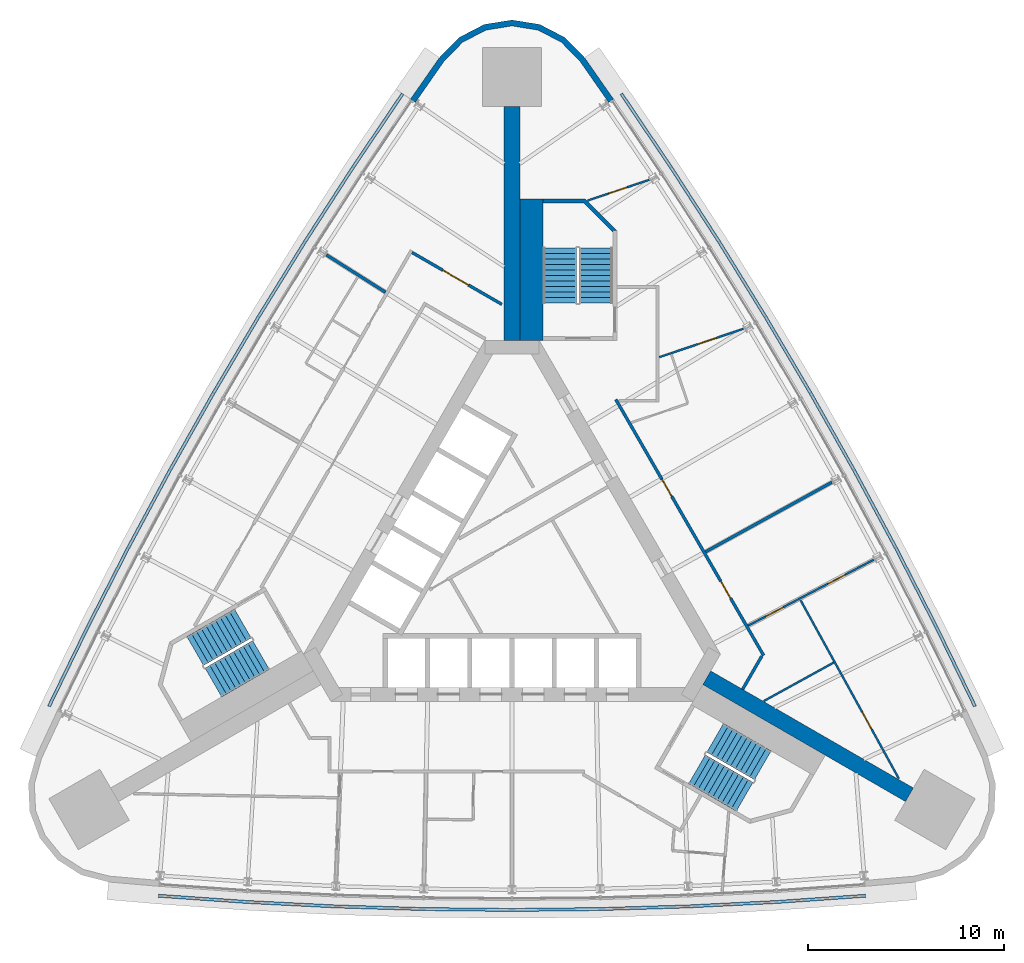
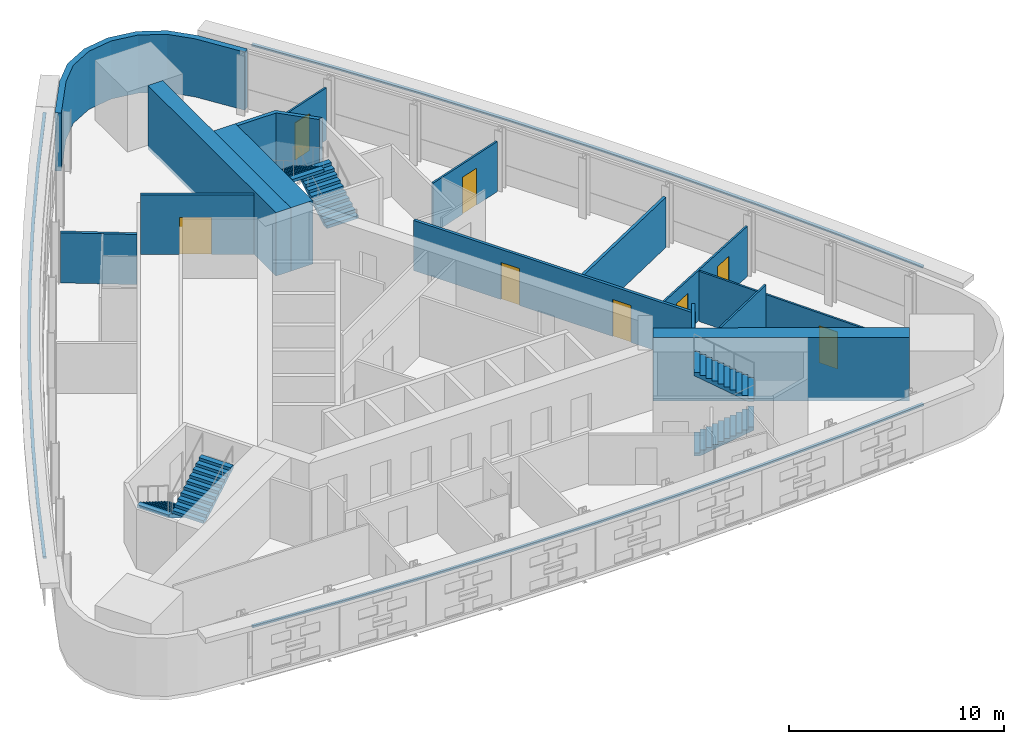
# One storey, part 9 of 11: 15 walls, 8 doors, 6 stair flights, 3 discrete accessories, 8 openings, 3 elements without a shape of their own.
"""IFC4 building model written with IfcOpenShell, lengths in metres."""

from ifc_helpers import new_model, si_unit, direction, frame, frame_2d, origin, place, context, subcontext, project, spatial, polyline, rectangle, outline, extrude, material, layer, layer_set, type_object, element, fill, aggregate, save


model = new_model("IFC4")

# Units and contexts
model_context = context("Model", 3, precision=1e-05, world=origin(), true_north=direction((0.0, 1.0)))
body_context = subcontext(model_context, "Body", "Model", "MODEL_VIEW")
ifc_project = project(units=[si_unit("LENGTHUNIT", "METRE"), si_unit("AREAUNIT", "SQUARE_METRE"), si_unit("VOLUMEUNIT", "CUBIC_METRE"), si_unit("PLANEANGLEUNIT", "RADIAN"), si_unit("MASSUNIT", "GRAM", prefix="KILO")], contexts=[model_context])

# Site, building, storey
site_placement = place(None, origin())
site = spatial("IfcSite", under=ifc_project, at=site_placement, CompositionType="ELEMENT")
building_placement = place(site_placement, origin())
building = spatial("IfcBuilding", under=site, at=building_placement, Name="Noor Cloister Tower", CompositionType="ELEMENT")
storey_placement = place(building_placement, frame((0.0, 0.0, 109.5)))
storey = spatial("IfcBuildingStorey", under=building, at=storey_placement, Name="L28", CompositionType="ELEMENT", Elevation=109.5)

# Walls
ifc_material_1 = material(Name="Concrete C80/95", Category="concrete")
ifc_layer_1 = layer(ifc_material_1, 0.800048828125)
ifc_layer_set_1 = layer_set([ifc_layer_1], Name="Buttress wall 800 C80/95")
wall_type_1 = type_object("IfcWallType", Name="Buttress wall 800 C80/95", PredefinedType="SHEAR", material=ifc_layer_set_1)
wall_1_placement = place(storey_placement, frame((0.0, 11.456298828125, -0.199951171875), z_axis=(0.0, 0.0, 1.0), x_axis=(0.0, 1.0, 0.0)))
element("IfcWall", 1, at=wall_1_placement, inside=storey, type_object=wall_type_1, Name="Buttress wall N L28", PredefinedType="SHEAR", context=body_context, shape_type="SweptSolid", body=[
    extrude(rectangle(XDim=11.918701171875, YDim=0.800048828125, at=frame_2d((5.95947265625, 0.0))), origin(), (0.0, 0.0, 1.0), 3.599853515625),
])
wall_2_placement = place(storey_placement, frame((9.921630859375, -5.728271484375, -0.199951171875), z_axis=(0.0, 0.0, 1.0), x_axis=(0.866027307971, -0.499996701837, 0.0)))
element("IfcWall", 2, at=wall_2_placement, inside=storey, type_object=wall_type_1, Name="Buttress wall SE L28", PredefinedType="SHEAR", context=body_context, shape_type="SweptSolid", body=[
    extrude(rectangle(XDim=11.91845703125, YDim=0.800048828125, at=frame_2d((5.959228515625, 0.0))), origin(), (0.0, 0.0, 1.0), 3.599853515625),
])

# Wall, openings, doors
ifc_material_2 = material(Name="Gypsum board partition on steel studs, 150 mm", Category="steel")
ifc_layer_2 = layer(ifc_material_2, 0.14990234375)
ifc_layer_set_2 = layer_set([ifc_layer_2], Name="Flat wall 150")
wall_type_2 = type_object("IfcWallType", Name="Flat wall 150", PredefinedType="PARTITIONING", material=ifc_layer_set_2)
wall_3_placement = place(storey_placement, frame((5.28857421875, 8.4462890625, 0.0), z_axis=(0.0, 0.0, 1.0), x_axis=(0.499996620721, -0.866027354803, 0.0)))
wall_3 = element("IfcWall", 3, at=wall_3_placement, inside=storey, type_object=wall_type_2, Name="Flat wall 150 L28 003", PredefinedType="PARTITIONING", context=body_context, shape_type="SweptSolid", body=[
    extrude(rectangle(XDim=15.056640625, YDim=0.14990234375, at=frame_2d((7.5283203125, 0.0))), origin(), (0.0, 0.0, 1.0), 2.846923828125),
])
opening_1_placement = place(wall_3_placement, frame((10.688720703125, 0.0, 0.0)))
opening_1 = element("IfcOpeningElement", 4, at=opening_1_placement, cuts=wall_3, Name="Opening L28-006", PredefinedType="OPENING", context=body_context, shape_type="SweptSolid", body=[
    extrude(rectangle(XDim=1.0, YDim=2.10009765625, at=frame_2d((0.5, 1.050048828125))), frame((0.0, 0.0849609375, 0.0), z_axis=(0.0, -1.0, 0.0), x_axis=(1.0, 0.0, 0.0)), (0.0, 0.0, 1.0), 0.169921875),
])
opening_2_placement = place(wall_3_placement, frame((4.6953125, 0.0, 0.0)))
opening_2 = element("IfcOpeningElement", 5, at=opening_2_placement, cuts=wall_3, Name="Opening L28-007", PredefinedType="OPENING", context=body_context, shape_type="SweptSolid", body=[
    extrude(rectangle(XDim=1.0, YDim=2.10009765625, at=frame_2d((0.5, 1.050048828125))), frame((0.0, 0.0849609375, 0.0), z_axis=(0.0, -1.0, 0.0), x_axis=(1.0, 0.0, 0.0)), (0.0, 0.0, 1.0), 0.169921875),
])
ifc_material_3 = material(Name="Timber door leaf with steel frame", Category="steel")
door_type_1 = type_object("IfcDoorType", Name="Flat entrance door 1000 FD60S", OperationType="NOTDEFINED", PredefinedType="DOOR", material=ifc_material_3)
door_1_placement = place(opening_1_placement, origin())
door_1 = element("IfcDoor", 6, at=door_1_placement, inside=storey, type_object=door_type_1, Name="Flat entrance door 1000 L28-006", OperationType="SINGLE_SWING_RIGHT", OverallHeight=2.10009765625, OverallWidth=1.0, PredefinedType="DOOR", context=body_context, shape_type="SweptSolid", body=[
    extrude(rectangle(XDim=1.0, YDim=2.10009765625, at=frame_2d((0.5, 1.050048828125))), frame((0.0, 0.02490234375, 0.0), z_axis=(0.0, -1.0, 0.0), x_axis=(1.0, 0.0, 0.0)), (0.0, 0.0, 1.0), 0.050048828125),
])
fill(opening_1, door_1)
door_2_placement = place(opening_2_placement, origin())
door_2 = element("IfcDoor", 7, at=door_2_placement, inside=storey, type_object=door_type_1, Name="Flat entrance door 1000 L28-007", OperationType="SINGLE_SWING_LEFT", OverallHeight=2.10009765625, OverallWidth=1.0, PredefinedType="DOOR", context=body_context, shape_type="SweptSolid", body=[
    extrude(rectangle(XDim=1.0, YDim=2.10009765625, at=frame_2d((0.5, 1.050048828125))), frame((0.0, 0.02490234375, 0.0), z_axis=(0.0, -1.0, 0.0), x_axis=(1.0, 0.0, 0.0)), (0.0, 0.0, 1.0), 0.050048828125),
])
fill(opening_2, door_2)

# Wall, opening, door
wall_4_placement = place(storey_placement, frame((-5.093017578125, 15.93505859375, 0.0), z_axis=(0.0, 0.0, 1.0), x_axis=(0.866033195618, -0.499986503906, 0.0)))
wall_4 = element("IfcWall", 8, at=wall_4_placement, inside=storey, type_object=wall_type_2, Name="Flat wall 150 L28 007", PredefinedType="PARTITIONING", context=body_context, shape_type="SweptSolid", body=[
    extrude(rectangle(XDim=5.282470703125, YDim=0.14990234375, at=frame_2d((2.64111328125, 0.0))), origin(), (0.0, 0.0, 1.0), 3.39990234375),
])
opening_3_placement = place(wall_4_placement, frame((1.816162109375, 0.0, 0.0)))
opening_3 = element("IfcOpeningElement", 9, at=opening_3_placement, cuts=wall_4, Name="Opening L28-011", PredefinedType="OPENING", context=body_context, shape_type="SweptSolid", body=[
    extrude(rectangle(XDim=1.5, YDim=2.10009765625, at=frame_2d((0.75, 1.050048828125))), frame((0.0, 0.0849609375, 0.0), z_axis=(0.0, -1.0, 0.0), x_axis=(1.0, 0.0, 0.0)), (0.0, 0.0, 1.0), 0.169921875),
])
ifc_material_4 = material(Name="Timber door leaf with steel frame", Category="steel")
door_type_2 = type_object("IfcDoorType", Name="Double door 1500 FD60", OperationType="NOTDEFINED", PredefinedType="DOOR", material=ifc_material_4)
door_3_placement = place(opening_3_placement, origin())
door_3 = element("IfcDoor", 10, at=door_3_placement, inside=storey, type_object=door_type_2, Name="Double door 1500 L28-011", OperationType="DOUBLE_DOOR_SINGLE_SWING", OverallHeight=2.10009765625, OverallWidth=1.5, PredefinedType="DOOR", context=body_context, shape_type="SweptSolid", body=[
    extrude(rectangle(XDim=1.5, YDim=2.10009765625, at=frame_2d((0.75, 1.050048828125))), frame((0.0, 0.02490234375, 0.0), z_axis=(0.0, -1.0, 0.0), x_axis=(1.0, 0.0, 0.0)), (0.0, 0.0, 1.0), 0.050048828125),
])
fill(opening_3, door_3)

# Walls
wall_5_placement = place(storey_placement, frame((11.745361328125, -6.3193359375, 0.0), z_axis=(0.0, 0.0, 1.0), x_axis=(0.500012721296, 0.866018059016, 0.0)))
element("IfcWall", 11, at=wall_5_placement, inside=storey, type_object=wall_type_2, Name="Flat wall 150 L28 012", PredefinedType="PARTITIONING", context=body_context, shape_type="SweptSolid", body=[
    extrude(rectangle(XDim=1.9658203125, YDim=0.14990234375, at=frame_2d((0.98291015625, 0.0))), origin(), (0.0, 0.0, 1.0), 3.39990234375),
])
wall_6_placement = place(storey_placement, frame((16.296875, 4.231689453125, 0.0), z_axis=(0.0, 0.0, 1.0), x_axis=(-0.875895262359, -0.482501284327, 0.0)))
element("IfcWall", 12, at=wall_6_placement, inside=storey, type_object=wall_type_2, Name="Flat wall 150 L28 016", PredefinedType="PARTITIONING", context=body_context, shape_type="SweptSolid", body=[
    extrude(rectangle(XDim=7.35107421875, YDim=0.14990234375, at=frame_2d((3.675537109375, 0.0))), origin(), (0.0, 0.0, 1.0), 2.846923828125),
])
wall_7_placement = place(storey_placement, frame((-9.455322265625, 15.8115234375, 0.0), z_axis=(0.0, 0.0, 1.0), x_axis=(0.845256180865, -0.53436129043, 0.0)))
element("IfcWall", 13, at=wall_7_placement, inside=storey, type_object=wall_type_2, Name="Flat wall 150 L28 020", PredefinedType="PARTITIONING", context=body_context, shape_type="SweptSolid", body=[
    extrude(rectangle(XDim=3.56591796875, YDim=0.14990234375, at=frame_2d((1.782958984375, 0.0))), origin(), (0.0, 0.0, 1.0), 2.846923828125),
])
ifc_material_5 = material(Name="Limestone", Category="masonry")
ifc_layer_3 = layer(ifc_material_5, 0.300048828125)
ifc_layer_set_3 = layer_set([ifc_layer_3], Name="Limestone cladding 300")
wall_type_3 = type_object("IfcWallType", Name="Limestone cladding 300", PredefinedType="NOTDEFINED", material=ifc_layer_set_3)
wall_8_placement = place(storey_placement, origin())
element("IfcWall", 14, at=wall_8_placement, inside=storey, type_object=wall_type_3, Name="Limestone pier cladding L28 3.1", PredefinedType="NOTDEFINED", context=body_context, shape_type="SweptSolid", body=[
    extrude(outline(polyline([(5.1708984375, 23.747802734375), (3.694091796875, 25.862548828125), (2.6904296875, 26.8876953125), (1.41650390625, 27.54736328125), (0.0, 27.774658203125), (-1.41650390625, 27.54736328125), (-2.6904296875, 26.8876953125), (-3.694091796875, 25.862548828125), (-5.1708984375, 23.747802734375), (-4.925048828125, 23.575927734375), (-3.462158203125, 25.67041015625), (-2.509765625, 26.6435546875), (-1.3212890625, 27.2587890625), (0.0, 27.470947265625), (1.3212890625, 27.2587890625), (2.509765625, 26.6435546875), (3.462158203125, 25.67041015625), (4.925048828125, 23.575927734375), (5.1708984375, 23.747802734375)])), origin(), (0.0, 0.0, 1.0), 3.300048828125),
])

# Wall, opening, door
ifc_material_6 = material(Name="Gypsum board partition on steel studs, 100 mm", Category="steel")
ifc_layer_4 = layer(ifc_material_6, 0.10009765625)
ifc_layer_set_4 = layer_set([ifc_layer_4], Name="Partition 100")
wall_type_4 = type_object("IfcWallType", Name="Partition 100", PredefinedType="PARTITIONING", material=ifc_layer_set_4)
wall_9_placement = place(storey_placement, frame((19.702880859375, -10.8642578125, 0.0), z_axis=(0.0, 0.0, 1.0), x_axis=(-0.482505676042, 0.875892843096, 0.0)))
wall_9 = element("IfcWall", 15, at=wall_9_placement, inside=storey, type_object=wall_type_4, Name="Partition 100 L28 021", PredefinedType="PARTITIONING", context=body_context, shape_type="SweptSolid", body=[
    extrude(rectangle(XDim=10.377197265625, YDim=0.10009765625, at=frame_2d((5.1884765625, 0.0))), origin(), (0.0, 0.0, 1.0), 2.846923828125),
])
opening_4_placement = place(wall_9_placement, frame((2.863525390625, 0.0, 0.0)))
opening_4 = element("IfcOpeningElement", 16, at=opening_4_placement, cuts=wall_9, Name="Opening L28-012", PredefinedType="OPENING", context=body_context, shape_type="SweptSolid", body=[
    extrude(rectangle(XDim=1.0, YDim=2.10009765625, at=frame_2d((0.5, 1.050048828125))), frame((0.0, 0.06005859375, 0.0), z_axis=(0.0, -1.0, 0.0), x_axis=(1.0, 0.0, 0.0)), (0.0, 0.0, 1.0), 0.1201171875),
])
ifc_material_7 = material(Name="Timber door leaf with steel frame", Category="steel")
door_type_3 = type_object("IfcDoorType", Name="Interior door 1000", OperationType="NOTDEFINED", PredefinedType="DOOR", material=ifc_material_7)
door_4_placement = place(opening_4_placement, origin())
door_4 = element("IfcDoor", 17, at=door_4_placement, inside=storey, type_object=door_type_3, Name="Interior door 1000 L28-012", OperationType="SINGLE_SWING_LEFT", OverallHeight=2.10009765625, OverallWidth=1.0, PredefinedType="DOOR", context=body_context, shape_type="SweptSolid", body=[
    extrude(rectangle(XDim=1.0, YDim=2.10009765625, at=frame_2d((0.5, 1.050048828125))), frame((0.0, 0.02490234375, 0.0), z_axis=(0.0, -1.0, 0.0), x_axis=(1.0, 0.0, 0.0)), (0.0, 0.0, 1.0), 0.050048828125),
])
fill(opening_4, door_4)

# Wall, openings, doors
wall_10_placement = place(storey_placement, frame((18.4208984375, 0.282958984375, 0.0), z_axis=(0.0, 0.0, 1.0), x_axis=(-0.885392336097, -0.464844502151, 0.0)))
wall_10 = element("IfcWall", 18, at=wall_10_placement, inside=storey, type_object=wall_type_4, Name="Partition 100 L28 023", PredefinedType="PARTITIONING", context=body_context, shape_type="SweptSolid", body=[
    extrude(rectangle(XDim=7.219970703125, YDim=0.10009765625, at=frame_2d((3.60986328125, 0.0))), origin(), (0.0, 0.0, 1.0), 2.846923828125),
])
opening_5_placement = place(wall_10_placement, frame((5.19580078125, 0.0, 0.0)))
opening_5 = element("IfcOpeningElement", 19, at=opening_5_placement, cuts=wall_10, Name="Opening L28-013", PredefinedType="OPENING", context=body_context, shape_type="SweptSolid", body=[
    extrude(rectangle(XDim=1.0, YDim=2.10009765625, at=frame_2d((0.5, 1.050048828125))), frame((0.0, 0.06005859375, 0.0), z_axis=(0.0, -1.0, 0.0), x_axis=(1.0, 0.0, 0.0)), (0.0, 0.0, 1.0), 0.1201171875),
])
opening_6_placement = place(wall_10_placement, frame((1.634033203125, 0.0, 0.0)))
opening_6 = element("IfcOpeningElement", 20, at=opening_6_placement, cuts=wall_10, Name="Opening L28-014", PredefinedType="OPENING", context=body_context, shape_type="SweptSolid", body=[
    extrude(rectangle(XDim=1.0, YDim=2.10009765625, at=frame_2d((0.5, 1.050048828125))), frame((0.0, 0.06005859375, 0.0), z_axis=(0.0, -1.0, 0.0), x_axis=(1.0, 0.0, 0.0)), (0.0, 0.0, 1.0), 0.1201171875),
])
door_5_placement = place(opening_5_placement, origin())
door_5 = element("IfcDoor", 21, at=door_5_placement, inside=storey, type_object=door_type_3, Name="Interior door 1000 L28-013", OperationType="SINGLE_SWING_RIGHT", OverallHeight=2.10009765625, OverallWidth=1.0, PredefinedType="DOOR", context=body_context, shape_type="SweptSolid", body=[
    extrude(rectangle(XDim=1.0, YDim=2.10009765625, at=frame_2d((0.5, 1.050048828125))), frame((0.0, 0.02490234375, 0.0), z_axis=(0.0, -1.0, 0.0), x_axis=(1.0, 0.0, 0.0)), (0.0, 0.0, 1.0), 0.050048828125),
])
fill(opening_5, door_5)
door_6_placement = place(opening_6_placement, origin())
door_6 = element("IfcDoor", 22, at=door_6_placement, inside=storey, type_object=door_type_3, Name="Interior door 1000 L28-014", OperationType="SINGLE_SWING_LEFT", OverallHeight=2.10009765625, OverallWidth=1.0, PredefinedType="DOOR", context=body_context, shape_type="SweptSolid", body=[
    extrude(rectangle(XDim=1.0, YDim=2.10009765625, at=frame_2d((0.5, 1.050048828125))), frame((0.0, 0.02490234375, 0.0), z_axis=(0.0, -1.0, 0.0), x_axis=(1.0, 0.0, 0.0)), (0.0, 0.0, 1.0), 0.050048828125),
])
fill(opening_6, door_6)

# Wall, opening, door
wall_11_placement = place(storey_placement, frame((7.501708984375, 10.600830078125, 0.0), z_axis=(0.0, 0.0, 1.0), x_axis=(0.947570000993, 0.319548264303, 0.0)))
wall_11 = element("IfcWall", 23, at=wall_11_placement, inside=storey, type_object=wall_type_4, Name="Partition 100 L28 026", PredefinedType="PARTITIONING", context=body_context, shape_type="SweptSolid", body=[
    extrude(rectangle(XDim=4.519287109375, YDim=0.10009765625, at=frame_2d((2.259765625, 0.0))), origin(), (0.0, 0.0, 1.0), 2.846923828125),
])
opening_7_placement = place(wall_11_placement, frame((2.067626953125, 0.0, 0.0)))
opening_7 = element("IfcOpeningElement", 24, at=opening_7_placement, cuts=wall_11, Name="Opening L28-017", PredefinedType="OPENING", context=body_context, shape_type="SweptSolid", body=[
    extrude(rectangle(XDim=1.0, YDim=2.10009765625, at=frame_2d((0.5, 1.050048828125))), frame((0.0, 0.06005859375, 0.0), z_axis=(0.0, -1.0, 0.0), x_axis=(1.0, 0.0, 0.0)), (0.0, 0.0, 1.0), 0.1201171875),
])
door_7_placement = place(opening_7_placement, origin())
door_7 = element("IfcDoor", 25, at=door_7_placement, inside=storey, type_object=door_type_3, Name="Interior door 1000 L28-017", OperationType="SINGLE_SWING_RIGHT", OverallHeight=2.10009765625, OverallWidth=1.0, PredefinedType="DOOR", context=body_context, shape_type="SweptSolid", body=[
    extrude(rectangle(XDim=1.0, YDim=2.10009765625, at=frame_2d((0.5, 1.050048828125))), frame((0.0, 0.02490234375, 0.0), z_axis=(0.0, -1.0, 0.0), x_axis=(1.0, 0.0, 0.0)), (0.0, 0.0, 1.0), 0.050048828125),
])
fill(opening_7, door_7)

# Wall
wall_12_placement = place(storey_placement, frame((16.388916015625, -4.952392578125, 0.0), z_axis=(0.0, 0.0, 1.0), x_axis=(-0.875896259157, -0.482499474814, 0.0)))
element("IfcWall", 26, at=wall_12_placement, inside=storey, type_object=wall_type_4, Name="Partition 100 L28 027", PredefinedType="PARTITIONING", context=body_context, shape_type="SweptSolid", body=[
    extrude(rectangle(XDim=4.066162109375, YDim=0.10009765625, at=frame_2d((2.033203125, 0.0))), origin(), (0.0, 0.0, 1.0), 3.39990234375),
])

# Wall, opening, door
wall_13_placement = place(storey_placement, frame((3.8486328125, 18.574951171875, 0.0), z_axis=(0.0, 0.0, 1.0), x_axis=(0.947578304543, 0.319523640375, 0.0)))
wall_13 = element("IfcWall", 27, at=wall_13_placement, inside=storey, type_object=wall_type_4, Name="Partition 100 L28 029", PredefinedType="PARTITIONING", context=body_context, shape_type="SweptSolid", body=[
    extrude(rectangle(XDim=3.309326171875, YDim=0.10009765625, at=frame_2d((1.65478515625, 0.0))), origin(), (0.0, 0.0, 1.0), 2.97412109375),
])
opening_8_placement = place(wall_13_placement, frame((1.14208984375, 0.0, 0.0)))
opening_8 = element("IfcOpeningElement", 28, at=opening_8_placement, cuts=wall_13, Name="Opening L28-019", PredefinedType="OPENING", context=body_context, shape_type="SweptSolid", body=[
    extrude(rectangle(XDim=1.0, YDim=2.10009765625, at=frame_2d((0.5, 1.050048828125))), frame((0.0, 0.06005859375, 0.0), z_axis=(0.0, -1.0, 0.0), x_axis=(1.0, 0.0, 0.0)), (0.0, 0.0, 1.0), 0.1201171875),
])
door_8_placement = place(opening_8_placement, origin())
door_8 = element("IfcDoor", 29, at=door_8_placement, inside=storey, type_object=door_type_3, Name="Interior door 1000 L28-019", OperationType="SINGLE_SWING_LEFT", OverallHeight=2.10009765625, OverallWidth=1.0, PredefinedType="DOOR", context=body_context, shape_type="SweptSolid", body=[
    extrude(rectangle(XDim=1.0, YDim=2.10009765625, at=frame_2d((0.5, 1.050048828125))), frame((0.0, 0.02490234375, 0.0), z_axis=(0.0, -1.0, 0.0), x_axis=(1.0, 0.0, 0.0)), (0.0, 0.0, 1.0), 0.050048828125),
])
fill(opening_8, door_8)

# Walls
ifc_material_8 = material(Name="Concrete C80/95", Category="concrete")
ifc_layer_5 = layer(ifc_material_8, 1.18603515625)
ifc_layer_set_5 = layer_set([ifc_layer_5], Name="Stair enclosure wall 1186 C80/95")
wall_type_5 = type_object("IfcWallType", Name="Stair enclosure wall 1186 C80/95", PredefinedType="SHEAR", material=ifc_layer_set_5)
wall_14_placement = place(storey_placement, frame((0.992919921875, 11.456298828125, -0.199951171875), z_axis=(0.0, 0.0, 1.0), x_axis=(0.0, 1.0, 0.0)))
element("IfcWall", 30, at=wall_14_placement, inside=storey, type_object=wall_type_5, Name="Stair enclosure wall ST1 L28 riser side", PredefinedType="SHEAR", context=body_context, shape_type="SweptSolid", body=[
    extrude(rectangle(XDim=7.2001953125, YDim=1.185546875, at=frame_2d((3.60009765625, 0.0))), origin(), (0.0, 0.0, 1.0), 3.599853515625),
])
ifc_material_9 = material(Name="Concrete C80/95", Category="concrete")
wall_type_6 = type_object("IfcWallType", Name="Stair far end wall C80/95", PredefinedType="SHEAR", material=ifc_material_9)
wall_15_placement = place(storey_placement, frame((0.0, 0.0, -0.199951171875)))
element("IfcWall", 31, at=wall_15_placement, inside=storey, type_object=wall_type_6, Name="Stair enclosure wall ST1 L28 far end", PredefinedType="SHEAR", context=body_context, shape_type="SweptSolid", body=[
    extrude(outline(polyline([(5.335693359375, 17.056396484375), (3.735595703125, 18.656494140625), (1.585693359375, 18.656494140625), (1.585693359375, 18.456298828125), (3.65283203125, 18.456298828125), (5.135498046875, 16.9736328125), (5.135498046875, 17.056396484375), (5.135498046875, 17.056396484375), (5.135498046875, 17.056396484375), (5.135498046875, 17.056396484375), (5.135498046875, 17.056396484375), (5.135498046875, 17.056396484375), (5.135498046875, 17.056396484375), (5.135498046875, 17.056396484375), (5.135498046875, 17.056396484375), (5.135498046875, 17.056396484375), (5.135498046875, 17.056396484375), (5.135498046875, 17.056396484375), (5.135498046875, 17.056396484375), (5.135498046875, 17.056396484375), (5.135498046875, 17.056396484375), (5.135498046875, 17.056396484375), (5.135498046875, 17.056396484375), (5.335693359375, 17.056396484375)])), origin(), (0.0, 0.0, 1.0), 3.599853515625),
])

# Stair, stair flights
ifc_material_10 = material(Name="Concrete C40/50", Category="concrete")
stair_type = type_object("IfcStairType", Name="Exit stair 22 risers", PredefinedType="HALF_TURN_STAIR", material=ifc_material_10)
stair_1_placement = place(storey_placement, origin())
stair_1 = element("IfcStair", 32, at=stair_1_placement, inside=storey, type_object=stair_type, Name="Exit stair ST1 L28", PredefinedType="HALF_TURN_STAIR")
ifc_material_11 = material(Name="Concrete C40/50", Category="concrete")
stair_flight_type = type_object("IfcStairFlightType", Name="Exit stair flight", PredefinedType="STRAIGHT", material=ifc_material_11)
stair_flight_1_placement = place(storey_placement, frame((4.28564453125, 13.3564453125, 0.0), z_axis=(0.0, 0.0, 1.0), x_axis=(0.0, 1.0, 0.0)))
stair_flight_1 = element("IfcStairFlight", 33, at=stair_flight_1_placement, type_object=stair_flight_type, Name="ST1 flight 1", NumberOfRisers=11, NumberOfTreads=10, PredefinedType="STRAIGHT", RiserHeight=0.163636364, TreadLength=0.28, context=body_context, shape_type="SweptSolid", body=[
    extrude(outline(polyline([(0.0, 0.0), (0.0, 0.16357421875), (0.280029296875, 0.16357421875), (0.280029296875, 0.327392578125), (0.56005859375, 0.327392578125), (0.56005859375, 0.490966796875), (0.840087890625, 0.490966796875), (0.840087890625, 0.654541015625), (1.1201171875, 0.654541015625), (1.1201171875, 0.818115234375), (1.39990234375, 0.818115234375), (1.39990234375, 0.98193359375), (1.679931640625, 0.98193359375), (1.679931640625, 1.1455078125), (1.9599609375, 1.1455078125), (1.9599609375, 1.30908203125), (2.239990234375, 1.30908203125), (2.239990234375, 1.47265625), (2.52001953125, 1.47265625), (2.52001953125, 1.636474609375), (2.800048828125, 1.636474609375), (2.800048828125, 1.800048828125), (2.800048828125, 1.462646484375), (0.297119140625, 0.0), (0.0, 0.0)])), frame((0.0, 0.85009765625, 0.0), z_axis=(0.0, -1.0, 0.0), x_axis=(1.0, 0.0, 0.0)), (0.0, 0.0, 1.0), 1.699951171875),
])
stair_flight_2_placement = place(storey_placement, frame((2.435546875, 16.156494140625, 1.800048828125), z_axis=(0.0, 0.0, 1.0), x_axis=(0.0, -1.0, 0.0)))
stair_flight_2 = element("IfcStairFlight", 34, at=stair_flight_2_placement, type_object=stair_flight_type, Name="ST1 flight 2", NumberOfRisers=11, NumberOfTreads=10, PredefinedType="STRAIGHT", RiserHeight=0.163636364, TreadLength=0.28, context=body_context, shape_type="SweptSolid", body=[
    extrude(outline(polyline([(0.0, 0.0), (0.0, 0.16357421875), (0.280029296875, 0.16357421875), (0.280029296875, 0.327392578125), (0.56005859375, 0.327392578125), (0.56005859375, 0.490966796875), (0.840087890625, 0.490966796875), (0.840087890625, 0.654541015625), (1.1201171875, 0.654541015625), (1.1201171875, 0.818115234375), (1.39990234375, 0.818115234375), (1.39990234375, 0.98193359375), (1.679931640625, 0.98193359375), (1.679931640625, 1.1455078125), (1.9599609375, 1.1455078125), (1.9599609375, 1.30908203125), (2.239990234375, 1.30908203125), (2.239990234375, 1.47265625), (2.52001953125, 1.47265625), (2.52001953125, 1.636474609375), (2.800048828125, 1.636474609375), (2.800048828125, 1.800048828125), (2.800048828125, 1.462646484375), (0.297119140625, 0.0), (0.0, 0.0)])), frame((0.0, 0.85009765625, 0.0), z_axis=(0.0, -1.0, 0.0), x_axis=(1.0, 0.0, 0.0)), (0.0, 0.0, 1.0), 1.699951171875),
])
aggregate(stair_1, [stair_flight_1, stair_flight_2])

stair_2_placement = place(storey_placement, origin())
stair_2 = element("IfcStair", 35, at=stair_2_placement, inside=storey, type_object=stair_type, Name="Exit stair ST2 L28", PredefinedType="HALF_TURN_STAIR")
stair_flight_3_placement = place(storey_placement, frame((-13.709716796875, -2.966796875, 0.0), z_axis=(0.0, 0.0, 1.0), x_axis=(-0.866025403784, -0.5, 0.0)))
stair_flight_3 = element("IfcStairFlight", 36, at=stair_flight_3_placement, type_object=stair_flight_type, Name="ST2 flight 1", NumberOfRisers=11, NumberOfTreads=10, PredefinedType="STRAIGHT", RiserHeight=0.163636364, TreadLength=0.28, context=body_context, shape_type="SweptSolid", body=[
    extrude(outline(polyline([(0.0, 0.0), (0.0, 0.16357421875), (0.280029296875, 0.16357421875), (0.280029296875, 0.327392578125), (0.56005859375, 0.327392578125), (0.56005859375, 0.490966796875), (0.840087890625, 0.490966796875), (0.840087890625, 0.654541015625), (1.1201171875, 0.654541015625), (1.1201171875, 0.818115234375), (1.39990234375, 0.818115234375), (1.39990234375, 0.98193359375), (1.679931640625, 0.98193359375), (1.679931640625, 1.1455078125), (1.9599609375, 1.1455078125), (1.9599609375, 1.30908203125), (2.239990234375, 1.30908203125), (2.239990234375, 1.47265625), (2.52001953125, 1.47265625), (2.52001953125, 1.636474609375), (2.800048828125, 1.636474609375), (2.800048828125, 1.800048828125), (2.800048828125, 1.462646484375), (0.297119140625, 0.0), (0.0, 0.0)])), frame((0.0, 0.85009765625, 0.0), z_axis=(0.0, -1.0, 0.0), x_axis=(1.0, 0.0, 0.0)), (0.0, 0.0, 1.0), 1.699951171875),
])
stair_flight_4_placement = place(storey_placement, frame((-15.209716796875, -5.968994140625, 1.800048828125), z_axis=(0.0, 0.0, 1.0), x_axis=(0.866025403784, 0.5, 0.0)))
stair_flight_4 = element("IfcStairFlight", 37, at=stair_flight_4_placement, type_object=stair_flight_type, Name="ST2 flight 2", NumberOfRisers=11, NumberOfTreads=10, PredefinedType="STRAIGHT", RiserHeight=0.163636364, TreadLength=0.28, context=body_context, shape_type="SweptSolid", body=[
    extrude(outline(polyline([(0.0, 0.0), (0.0, 0.16357421875), (0.280029296875, 0.16357421875), (0.280029296875, 0.327392578125), (0.56005859375, 0.327392578125), (0.56005859375, 0.490966796875), (0.840087890625, 0.490966796875), (0.840087890625, 0.654541015625), (1.1201171875, 0.654541015625), (1.1201171875, 0.818115234375), (1.39990234375, 0.818115234375), (1.39990234375, 0.98193359375), (1.679931640625, 0.98193359375), (1.679931640625, 1.1455078125), (1.9599609375, 1.1455078125), (1.9599609375, 1.30908203125), (2.239990234375, 1.30908203125), (2.239990234375, 1.47265625), (2.52001953125, 1.47265625), (2.52001953125, 1.636474609375), (2.800048828125, 1.636474609375), (2.800048828125, 1.800048828125), (2.800048828125, 1.462646484375), (0.297119140625, 0.0), (0.0, 0.0)])), frame((0.0, 0.85009765625, 0.0), z_axis=(0.0, -1.0, 0.0), x_axis=(1.0, 0.0, 0.0)), (0.0, 0.0, 1.0), 1.699951171875),
])
aggregate(stair_2, [stair_flight_3, stair_flight_4])

stair_3_placement = place(storey_placement, origin())
stair_3 = element("IfcStair", 38, at=stair_3_placement, inside=storey, type_object=stair_type, Name="Exit stair ST3 L28", PredefinedType="HALF_TURN_STAIR")
stair_flight_5_placement = place(storey_placement, frame((9.424072265625, -10.3896484375, 0.0), z_axis=(0.0, 0.0, 1.0), x_axis=(0.866025403784, -0.5, 0.0)))
stair_flight_5 = element("IfcStairFlight", 39, at=stair_flight_5_placement, type_object=stair_flight_type, Name="ST3 flight 1", NumberOfRisers=11, NumberOfTreads=10, PredefinedType="STRAIGHT", RiserHeight=0.163636364, TreadLength=0.28, context=body_context, shape_type="SweptSolid", body=[
    extrude(outline(polyline([(0.0, 0.0), (0.0, 0.16357421875), (0.280029296875, 0.16357421875), (0.280029296875, 0.327392578125), (0.56005859375, 0.327392578125), (0.56005859375, 0.490966796875), (0.840087890625, 0.490966796875), (0.840087890625, 0.654541015625), (1.1201171875, 0.654541015625), (1.1201171875, 0.818115234375), (1.39990234375, 0.818115234375), (1.39990234375, 0.98193359375), (1.679931640625, 0.98193359375), (1.679931640625, 1.1455078125), (1.9599609375, 1.1455078125), (1.9599609375, 1.30908203125), (2.239990234375, 1.30908203125), (2.239990234375, 1.47265625), (2.52001953125, 1.47265625), (2.52001953125, 1.636474609375), (2.800048828125, 1.636474609375), (2.800048828125, 1.800048828125), (2.800048828125, 1.462646484375), (0.297119140625, 0.0), (0.0, 0.0)])), frame((0.0, 0.85009765625, 0.0), z_axis=(0.0, -1.0, 0.0), x_axis=(1.0, 0.0, 0.0)), (0.0, 0.0, 1.0), 1.699951171875),
])
stair_flight_6_placement = place(storey_placement, frame((12.77392578125, -10.1875, 1.800048828125), z_axis=(0.0, 0.0, 1.0), x_axis=(-0.866025403784, 0.5, 0.0)))
stair_flight_6 = element("IfcStairFlight", 40, at=stair_flight_6_placement, type_object=stair_flight_type, Name="ST3 flight 2", NumberOfRisers=11, NumberOfTreads=10, PredefinedType="STRAIGHT", RiserHeight=0.163636364, TreadLength=0.28, context=body_context, shape_type="SweptSolid", body=[
    extrude(outline(polyline([(0.0, 0.0), (0.0, 0.16357421875), (0.280029296875, 0.16357421875), (0.280029296875, 0.327392578125), (0.56005859375, 0.327392578125), (0.56005859375, 0.490966796875), (0.840087890625, 0.490966796875), (0.840087890625, 0.654541015625), (1.1201171875, 0.654541015625), (1.1201171875, 0.818115234375), (1.39990234375, 0.818115234375), (1.39990234375, 0.98193359375), (1.679931640625, 0.98193359375), (1.679931640625, 1.1455078125), (1.9599609375, 1.1455078125), (1.9599609375, 1.30908203125), (2.239990234375, 1.30908203125), (2.239990234375, 1.47265625), (2.52001953125, 1.47265625), (2.52001953125, 1.636474609375), (2.800048828125, 1.636474609375), (2.800048828125, 1.800048828125), (2.800048828125, 1.462646484375), (0.297119140625, 0.0), (0.0, 0.0)])), frame((0.0, 0.85009765625, 0.0), z_axis=(0.0, -1.0, 0.0), x_axis=(1.0, 0.0, 0.0)), (0.0, 0.0, 1.0), 1.699951171875),
])
aggregate(stair_3, [stair_flight_5, stair_flight_6])

# Discrete accessories
ifc_material_12 = material(Name="Stainless steel grade 316", Category="steel")
discrete_accessory_type = type_object("IfcDiscreteAccessoryType", Name="Stainless hanger rail", PredefinedType="BRACKET", material=ifc_material_12)
discrete_accessory_1_placement = place(storey_placement, frame((0.0, 0.0, 3.199951171875)))
element("IfcDiscreteAccessory", 41, at=discrete_accessory_1_placement, inside=storey, type_object=discrete_accessory_type, Name="Hanger rail L28", PredefinedType="BRACKET", context=body_context, shape_type="SweptSolid", body=[
    extrude(outline(polyline([(-5.635009765625, 24.06103515625), (-8.15625, 20.326904296875), (-10.60498046875, 16.538330078125), (-12.977294921875, 12.701171875), (-15.27197265625, 8.8173828125), (-17.48828125, 4.887939453125), (-19.625, 0.9150390625), (-21.681884765625, -3.099853515625), (-23.655029296875, -7.150390625), (-23.51123046875, -7.220458984375), (-21.53857421875, -3.17138671875), (-19.4833984375, 0.8408203125), (-17.34814453125, 4.810791015625), (-15.13330078125, 8.7373046875), (-12.84033203125, 12.618408203125), (-10.4697265625, 16.452880859375), (-8.022705078125, 20.23876953125), (-5.50244140625, 23.9716796875), (-5.635009765625, 24.06103515625)])), origin(), (0.0, 0.0, 1.0), 0.10009765625),
])
discrete_accessory_2_placement = place(storey_placement, frame((0.0, 0.0, 3.199951171875)))
element("IfcDiscreteAccessory", 42, at=discrete_accessory_2_placement, inside=storey, type_object=discrete_accessory_type, Name="Hanger rail L28", PredefinedType="BRACKET", context=body_context, shape_type="SweptSolid", body=[
    extrude(outline(polyline([(-18.02001953125, -16.91064453125), (-13.525634765625, -17.22705078125), (-9.02001953125, -17.453369140625), (-4.510986328125, -17.58935546875), (0.0, -17.634521484375), (4.510986328125, -17.58935546875), (9.02001953125, -17.453369140625), (13.525634765625, -17.22705078125), (18.02001953125, -16.91064453125), (18.0087890625, -16.7509765625), (13.515869140625, -17.0673828125), (9.013671875, -17.29345703125), (4.5078125, -17.42919921875), (0.0, -17.474609375), (-4.5078125, -17.42919921875), (-9.013671875, -17.29345703125), (-13.515869140625, -17.0673828125), (-18.0087890625, -16.7509765625), (-18.02001953125, -16.91064453125)])), origin(), (0.0, 0.0, 1.0), 0.10009765625),
])
discrete_accessory_3_placement = place(storey_placement, frame((0.0, 0.0, 3.199951171875)))
element("IfcDiscreteAccessory", 43, at=discrete_accessory_3_placement, inside=storey, type_object=discrete_accessory_type, Name="Hanger rail L28", PredefinedType="BRACKET", context=body_context, shape_type="SweptSolid", body=[
    extrude(outline(polyline([(23.655029296875, -7.150390625), (21.681884765625, -3.099853515625), (19.625, 0.9150390625), (17.48828125, 4.887939453125), (15.27197265625, 8.8173828125), (12.977294921875, 12.701171875), (10.60498046875, 16.538330078125), (8.15625, 20.326904296875), (5.635009765625, 24.06103515625), (5.50244140625, 23.9716796875), (8.022705078125, 20.23876953125), (10.4697265625, 16.452880859375), (12.84033203125, 12.618408203125), (15.13330078125, 8.7373046875), (17.34814453125, 4.810791015625), (19.4833984375, 0.8408203125), (21.53857421875, -3.17138671875), (23.51123046875, -7.220458984375), (23.655029296875, -7.150390625)])), origin(), (0.0, 0.0, 1.0), 0.10009765625),
])

save(model, "model.ifc")
